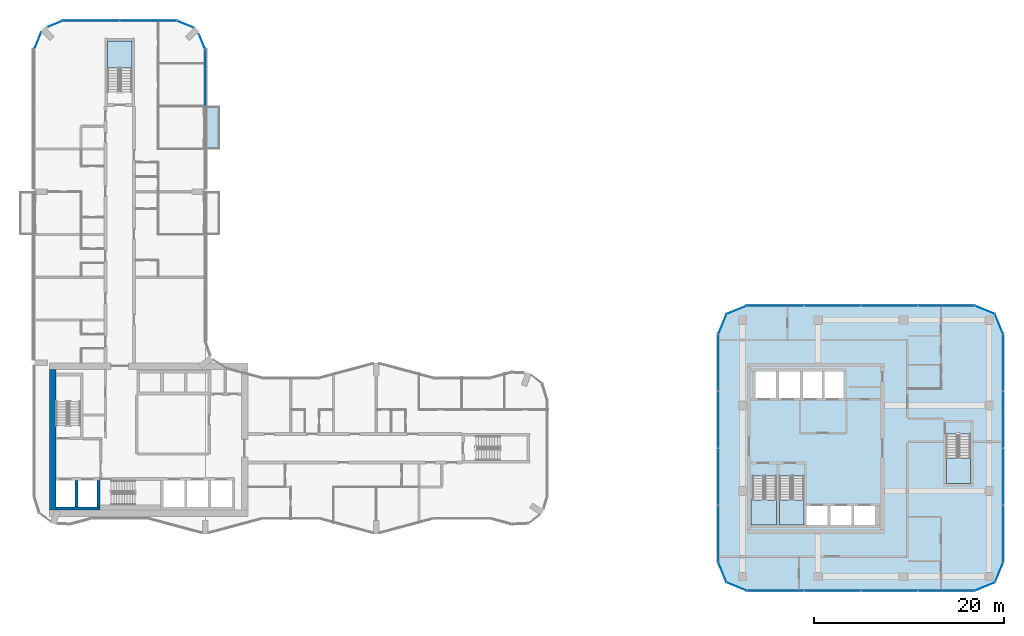
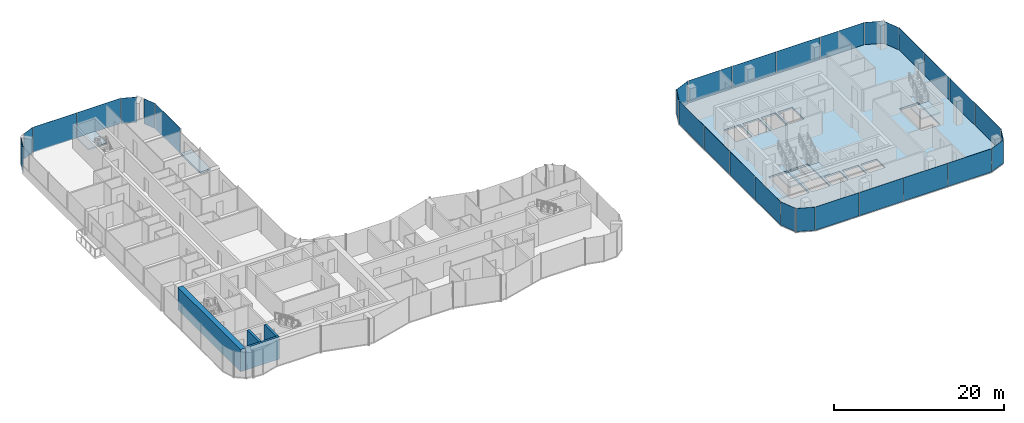
# One storey, part 12 of 22: 31 plates, 6 slabs, 4 walls, 22 elements without a shape of their own.
"""IFC4 building model written with IfcOpenShell, lengths in metres."""

from ifc_helpers import new_model, si_unit, direction, frame, frame_2d, origin, origin_2d, place, context, subcontext, project, spatial, polyline, rectangle, outline, extrude, material, layer, layer_set, type_object, element, aggregate, save


model = new_model("IFC4")

# Units and contexts
model_context = context("Model", 3, precision=1e-05, world=origin(), true_north=direction((0.0, 1.0)))
body_context = subcontext(model_context, "Body", "Model", "MODEL_VIEW")
ifc_project = project(units=[si_unit("LENGTHUNIT", "METRE"), si_unit("AREAUNIT", "SQUARE_METRE"), si_unit("VOLUMEUNIT", "CUBIC_METRE"), si_unit("PLANEANGLEUNIT", "RADIAN"), si_unit("MASSUNIT", "GRAM", prefix="KILO")], contexts=[model_context])

# Site, building, storey
site_placement = place(None, origin())
site = spatial("IfcSite", under=ifc_project, at=site_placement, CompositionType="ELEMENT")
building_placement = place(site_placement, origin())
building = spatial("IfcBuilding", under=site, at=building_placement, Name="Plateau Cross Towers", CompositionType="ELEMENT")
storey_placement = place(building_placement, frame((0.0, 0.0, 68.800048828125)))
storey = spatial("IfcBuildingStorey", under=building, at=storey_placement, Name="L17", CompositionType="ELEMENT", Elevation=68.800048828125)

# Slab
ifc_material_1 = material(Name="Concrete C40/50", Category="concrete")
ifc_layer_1 = layer(ifc_material_1, 0.25)
ifc_layer_set_1 = layer_set([ifc_layer_1], Name="Concrete C40/50")
slab_type_1 = type_object("IfcSlabType", Name="Balcony slab 250", PredefinedType="FLOOR", material=ifc_layer_set_1)
slab_1_placement = place(storey_placement, frame((0.0, 0.0, -0.25)))
element("IfcSlab", 1, at=slab_1_placement, inside=storey, type_object=slab_type_1, Name="Balcony slab A-BAL-L17-03", PredefinedType="FLOOR", context=body_context, shape_type="SweptSolid", body=[
    extrude(outline(polyline([(19.5, 40.5), (19.5, 45.0), (18.0, 45.0), (18.0, 40.5), (19.5, 40.5)])), origin(), (0.0, 0.0, 1.0), 0.25),
])

# Curtain wall, plates
ifc_material_2 = material(Name="Dark low-iron glass", Category="glass")
ifc_layer_2 = layer(ifc_material_2, 0.239990234375)
ifc_layer_set_2 = layer_set([ifc_layer_2], Name="Dark low-iron glass")
curtain_wall_type_1 = type_object("IfcCurtainWallType", Name="Curtain wall office unitised CW-F", PredefinedType="NOTDEFINED", material=ifc_layer_set_2)
curtain_wall_1_placement = place(storey_placement, origin())
curtain_wall_1 = element("IfcCurtainWall", 2, at=curtain_wall_1_placement, inside=storey, type_object=curtain_wall_type_1, Name="ENV/B/L17/B750_-60", PredefinedType="NOTDEFINED")
ifc_layer_3 = layer(ifc_material_2, 0.028076171875)
ifc_layer_set_3 = layer_set([ifc_layer_3], Name="Dark low-iron glass")
plate_type_1 = type_object("IfcPlateType", Name="Glass panel 28 office unitised", PredefinedType="CURTAIN_PANEL", material=ifc_layer_set_3)
plate_1_placement = place(storey_placement, frame((78.0, -6.0, -0.130126953125), z_axis=(0.0, 0.0, 1.0), x_axis=(1.0, 0.0, 0.0)))
plate_1 = element("IfcPlate", 3, at=plate_1_placement, type_object=plate_type_1, Name="CW-F panel 1", PredefinedType="CURTAIN_PANEL", context=body_context, shape_type="SweptSolid", body=[
    extrude(rectangle(XDim=5.93994140625, YDim=0.028076171875, at=origin_2d()), origin(), (0.0, 0.0, 1.0), 3.330078125),
])
plate_2_placement = place(storey_placement, frame((84.0, -6.0, -0.130126953125), z_axis=(0.0, 0.0, 1.0), x_axis=(1.0, 0.0, 0.0)))
plate_2 = element("IfcPlate", 4, at=plate_2_placement, type_object=plate_type_1, Name="CW-F panel 2", PredefinedType="CURTAIN_PANEL", context=body_context, shape_type="SweptSolid", body=[
    extrude(rectangle(XDim=5.93994140625, YDim=0.028076171875, at=origin_2d()), origin(), (0.0, 0.0, 1.0), 3.330078125),
])
plate_3_placement = place(storey_placement, frame((90.0, -6.0, -0.130126953125), z_axis=(0.0, 0.0, 1.0), x_axis=(1.0, 0.0, 0.0)))
plate_3 = element("IfcPlate", 5, at=plate_3_placement, type_object=plate_type_1, Name="CW-F panel 3", PredefinedType="CURTAIN_PANEL", context=body_context, shape_type="SweptSolid", body=[
    extrude(rectangle(XDim=5.93994140625, YDim=0.028076171875, at=origin_2d()), origin(), (0.0, 0.0, 1.0), 3.330078125),
])
plate_4_placement = place(storey_placement, frame((96.0, -6.0, -0.130126953125), z_axis=(0.0, 0.0, 1.0), x_axis=(1.0, 0.0, 0.0)))
plate_4 = element("IfcPlate", 6, at=plate_4_placement, type_object=plate_type_1, Name="CW-F panel 4", PredefinedType="CURTAIN_PANEL", context=body_context, shape_type="SweptSolid", body=[
    extrude(rectangle(XDim=5.93994140625, YDim=0.028076171875, at=origin_2d()), origin(), (0.0, 0.0, 1.0), 3.330078125),
])
aggregate(curtain_wall_1, [plate_1, plate_2, plate_3, plate_4])

# Curtain wall, plate
curtain_wall_2_placement = place(storey_placement, origin())
curtain_wall_2 = element("IfcCurtainWall", 7, at=curtain_wall_2_placement, inside=storey, type_object=curtain_wall_type_1, Name="ENV/B/L17/B990_-60", PredefinedType="NOTDEFINED")
plate_5_placement = place(storey_placement, frame((100.060546875, -5.560546875, -0.130126953125), z_axis=(0.0, 0.0, 1.0), x_axis=(0.923879457699, 0.382683612978, 0.0)))
plate_5 = element("IfcPlate", 8, at=plate_5_placement, type_object=plate_type_1, Name="CW-F panel 1", PredefinedType="CURTAIN_PANEL", context=body_context, shape_type="SweptSolid", body=[
    extrude(rectangle(XDim=2.236083984375, YDim=0.028076171875, at=origin_2d()), origin(), (0.0, 0.0, 1.0), 3.330078125),
])
aggregate(curtain_wall_2, [plate_5])

curtain_wall_3_placement = place(storey_placement, origin())
curtain_wall_3 = element("IfcCurtainWall", 9, at=curtain_wall_3_placement, inside=storey, type_object=curtain_wall_type_1, Name="ENV/B/L17/B1011_-51", PredefinedType="NOTDEFINED")
plate_6_placement = place(storey_placement, frame((101.560546875, -4.060546875, -0.130126953125), z_axis=(0.0, 0.0, 1.0), x_axis=(0.382683612978, 0.923879457699, 0.0)))
plate_6 = element("IfcPlate", 10, at=plate_6_placement, type_object=plate_type_1, Name="CW-F panel 1", PredefinedType="CURTAIN_PANEL", context=body_context, shape_type="SweptSolid", body=[
    extrude(rectangle(XDim=2.236083984375, YDim=0.028076171875, at=origin_2d()), origin(), (0.0, 0.0, 1.0), 3.330078125),
])
aggregate(curtain_wall_3, [plate_6])

# Curtain wall, plates
curtain_wall_4_placement = place(storey_placement, origin())
curtain_wall_4 = element("IfcCurtainWall", 11, at=curtain_wall_4_placement, inside=storey, type_object=curtain_wall_type_1, Name="ENV/B/L17/B1020_-30", PredefinedType="NOTDEFINED")
plate_7_placement = place(storey_placement, frame((102.0, 0.0, -0.130126953125), z_axis=(0.0, 0.0, 1.0), x_axis=(0.0, 1.0, 0.0)))
plate_7 = element("IfcPlate", 12, at=plate_7_placement, type_object=plate_type_1, Name="CW-F panel 1", PredefinedType="CURTAIN_PANEL", context=body_context, shape_type="SweptSolid", body=[
    extrude(rectangle(XDim=5.93994140625, YDim=0.028076171875, at=origin_2d()), origin(), (0.0, 0.0, 1.0), 3.330078125),
])
plate_8_placement = place(storey_placement, frame((102.0, 6.0, -0.130126953125), z_axis=(0.0, 0.0, 1.0), x_axis=(0.0, 1.0, 0.0)))
plate_8 = element("IfcPlate", 13, at=plate_8_placement, type_object=plate_type_1, Name="CW-F panel 2", PredefinedType="CURTAIN_PANEL", context=body_context, shape_type="SweptSolid", body=[
    extrude(rectangle(XDim=5.93994140625, YDim=0.028076171875, at=origin_2d()), origin(), (0.0, 0.0, 1.0), 3.330078125),
])
plate_9_placement = place(storey_placement, frame((102.0, 12.0, -0.130126953125), z_axis=(0.0, 0.0, 1.0), x_axis=(0.0, 1.0, 0.0)))
plate_9 = element("IfcPlate", 14, at=plate_9_placement, type_object=plate_type_1, Name="CW-F panel 3", PredefinedType="CURTAIN_PANEL", context=body_context, shape_type="SweptSolid", body=[
    extrude(rectangle(XDim=5.93994140625, YDim=0.028076171875, at=origin_2d()), origin(), (0.0, 0.0, 1.0), 3.330078125),
])
plate_10_placement = place(storey_placement, frame((102.0, 18.0, -0.130126953125), z_axis=(0.0, 0.0, 1.0), x_axis=(0.0, 1.0, 0.0)))
plate_10 = element("IfcPlate", 15, at=plate_10_placement, type_object=plate_type_1, Name="CW-F panel 4", PredefinedType="CURTAIN_PANEL", context=body_context, shape_type="SweptSolid", body=[
    extrude(rectangle(XDim=5.93994140625, YDim=0.028076171875, at=origin_2d()), origin(), (0.0, 0.0, 1.0), 3.330078125),
])
aggregate(curtain_wall_4, [plate_7, plate_8, plate_9, plate_10])

# Curtain wall, plate
curtain_wall_5_placement = place(storey_placement, origin())
curtain_wall_5 = element("IfcCurtainWall", 16, at=curtain_wall_5_placement, inside=storey, type_object=curtain_wall_type_1, Name="ENV/B/L17/B1020_210", PredefinedType="NOTDEFINED")
plate_11_placement = place(storey_placement, frame((101.560546875, 22.060546875, -0.130126953125), z_axis=(0.0, 0.0, 1.0), x_axis=(-0.382683612978, 0.923879457699, 0.0)))
plate_11 = element("IfcPlate", 17, at=plate_11_placement, type_object=plate_type_1, Name="CW-F panel 1", PredefinedType="CURTAIN_PANEL", context=body_context, shape_type="SweptSolid", body=[
    extrude(rectangle(XDim=2.236083984375, YDim=0.028076171875, at=origin_2d()), origin(), (0.0, 0.0, 1.0), 3.330078125),
])
aggregate(curtain_wall_5, [plate_11])

curtain_wall_6_placement = place(storey_placement, origin())
curtain_wall_6 = element("IfcCurtainWall", 18, at=curtain_wall_6_placement, inside=storey, type_object=curtain_wall_type_1, Name="ENV/B/L17/B1011_231", PredefinedType="NOTDEFINED")
plate_12_placement = place(storey_placement, frame((100.060546875, 23.560546875, -0.130126953125), z_axis=(0.0, 0.0, 1.0), x_axis=(-0.923879457699, 0.382683612978, 0.0)))
plate_12 = element("IfcPlate", 19, at=plate_12_placement, type_object=plate_type_1, Name="CW-F panel 1", PredefinedType="CURTAIN_PANEL", context=body_context, shape_type="SweptSolid", body=[
    extrude(rectangle(XDim=2.236083984375, YDim=0.028076171875, at=origin_2d()), origin(), (0.0, 0.0, 1.0), 3.330078125),
])
aggregate(curtain_wall_6, [plate_12])

# Curtain wall, plates
curtain_wall_7_placement = place(storey_placement, origin())
curtain_wall_7 = element("IfcCurtainWall", 20, at=curtain_wall_7_placement, inside=storey, type_object=curtain_wall_type_1, Name="ENV/B/L17/B990_240", PredefinedType="NOTDEFINED")
plate_13_placement = place(storey_placement, frame((96.0, 24.0, -0.130126953125), z_axis=(0.0, 0.0, 1.0), x_axis=(-1.0, 0.0, 0.0)))
plate_13 = element("IfcPlate", 21, at=plate_13_placement, type_object=plate_type_1, Name="CW-F panel 1", PredefinedType="CURTAIN_PANEL", context=body_context, shape_type="SweptSolid", body=[
    extrude(rectangle(XDim=5.93994140625, YDim=0.028076171875, at=origin_2d()), origin(), (0.0, 0.0, 1.0), 3.330078125),
])
plate_14_placement = place(storey_placement, frame((90.0, 24.0, -0.130126953125), z_axis=(0.0, 0.0, 1.0), x_axis=(-1.0, 0.0, 0.0)))
plate_14 = element("IfcPlate", 22, at=plate_14_placement, type_object=plate_type_1, Name="CW-F panel 2", PredefinedType="CURTAIN_PANEL", context=body_context, shape_type="SweptSolid", body=[
    extrude(rectangle(XDim=5.93994140625, YDim=0.028076171875, at=origin_2d()), origin(), (0.0, 0.0, 1.0), 3.330078125),
])
plate_15_placement = place(storey_placement, frame((84.0, 24.0, -0.130126953125), z_axis=(0.0, 0.0, 1.0), x_axis=(-1.0, 0.0, 0.0)))
plate_15 = element("IfcPlate", 23, at=plate_15_placement, type_object=plate_type_1, Name="CW-F panel 3", PredefinedType="CURTAIN_PANEL", context=body_context, shape_type="SweptSolid", body=[
    extrude(rectangle(XDim=5.93994140625, YDim=0.028076171875, at=origin_2d()), origin(), (0.0, 0.0, 1.0), 3.330078125),
])
plate_16_placement = place(storey_placement, frame((78.0, 24.0, -0.130126953125), z_axis=(0.0, 0.0, 1.0), x_axis=(-1.0, 0.0, 0.0)))
plate_16 = element("IfcPlate", 24, at=plate_16_placement, type_object=plate_type_1, Name="CW-F panel 4", PredefinedType="CURTAIN_PANEL", context=body_context, shape_type="SweptSolid", body=[
    extrude(rectangle(XDim=5.93994140625, YDim=0.028076171875, at=origin_2d()), origin(), (0.0, 0.0, 1.0), 3.330078125),
])
aggregate(curtain_wall_7, [plate_13, plate_14, plate_15, plate_16])

# Curtain wall, plate
curtain_wall_8_placement = place(storey_placement, origin())
curtain_wall_8 = element("IfcCurtainWall", 25, at=curtain_wall_8_placement, inside=storey, type_object=curtain_wall_type_1, Name="ENV/B/L17/B750_240", PredefinedType="NOTDEFINED")
plate_17_placement = place(storey_placement, frame((73.939453125, 23.560546875, -0.130126953125), z_axis=(0.0, 0.0, 1.0), x_axis=(-0.923879457699, -0.382683612978, 0.0)))
plate_17 = element("IfcPlate", 26, at=plate_17_placement, type_object=plate_type_1, Name="CW-F panel 1", PredefinedType="CURTAIN_PANEL", context=body_context, shape_type="SweptSolid", body=[
    extrude(rectangle(XDim=2.236083984375, YDim=0.028076171875, at=origin_2d()), origin(), (0.0, 0.0, 1.0), 3.330078125),
])
aggregate(curtain_wall_8, [plate_17])

curtain_wall_9_placement = place(storey_placement, origin())
curtain_wall_9 = element("IfcCurtainWall", 27, at=curtain_wall_9_placement, inside=storey, type_object=curtain_wall_type_1, Name="ENV/B/L17/B729_231", PredefinedType="NOTDEFINED")
plate_18_placement = place(storey_placement, frame((72.439453125, 22.060546875, -0.130126953125), z_axis=(0.0, 0.0, 1.0), x_axis=(-0.382683612978, -0.923879457699, 0.0)))
plate_18 = element("IfcPlate", 28, at=plate_18_placement, type_object=plate_type_1, Name="CW-F panel 1", PredefinedType="CURTAIN_PANEL", context=body_context, shape_type="SweptSolid", body=[
    extrude(rectangle(XDim=2.236083984375, YDim=0.028076171875, at=origin_2d()), origin(), (0.0, 0.0, 1.0), 3.330078125),
])
aggregate(curtain_wall_9, [plate_18])

# Curtain wall, plates
curtain_wall_10_placement = place(storey_placement, origin())
curtain_wall_10 = element("IfcCurtainWall", 29, at=curtain_wall_10_placement, inside=storey, type_object=curtain_wall_type_1, Name="ENV/B/L17/B720_210", PredefinedType="NOTDEFINED")
plate_19_placement = place(storey_placement, frame((72.0, 18.0, -0.130126953125), z_axis=(0.0, 0.0, 1.0), x_axis=(0.0, -1.0, 0.0)))
plate_19 = element("IfcPlate", 30, at=plate_19_placement, type_object=plate_type_1, Name="CW-F panel 1", PredefinedType="CURTAIN_PANEL", context=body_context, shape_type="SweptSolid", body=[
    extrude(rectangle(XDim=5.93994140625, YDim=0.028076171875, at=origin_2d()), origin(), (0.0, 0.0, 1.0), 3.330078125),
])
plate_20_placement = place(storey_placement, frame((72.0, 12.0, -0.130126953125), z_axis=(0.0, 0.0, 1.0), x_axis=(0.0, -1.0, 0.0)))
plate_20 = element("IfcPlate", 31, at=plate_20_placement, type_object=plate_type_1, Name="CW-F panel 2", PredefinedType="CURTAIN_PANEL", context=body_context, shape_type="SweptSolid", body=[
    extrude(rectangle(XDim=5.93994140625, YDim=0.028076171875, at=origin_2d()), origin(), (0.0, 0.0, 1.0), 3.330078125),
])
plate_21_placement = place(storey_placement, frame((72.0, 6.0, -0.130126953125), z_axis=(0.0, 0.0, 1.0), x_axis=(0.0, -1.0, 0.0)))
plate_21 = element("IfcPlate", 32, at=plate_21_placement, type_object=plate_type_1, Name="CW-F panel 3", PredefinedType="CURTAIN_PANEL", context=body_context, shape_type="SweptSolid", body=[
    extrude(rectangle(XDim=5.93994140625, YDim=0.028076171875, at=origin_2d()), origin(), (0.0, 0.0, 1.0), 3.330078125),
])
plate_22_placement = place(storey_placement, frame((72.0, 0.0, -0.130126953125), z_axis=(0.0, 0.0, 1.0), x_axis=(0.0, -1.0, 0.0)))
plate_22 = element("IfcPlate", 33, at=plate_22_placement, type_object=plate_type_1, Name="CW-F panel 4", PredefinedType="CURTAIN_PANEL", context=body_context, shape_type="SweptSolid", body=[
    extrude(rectangle(XDim=5.93994140625, YDim=0.028076171875, at=origin_2d()), origin(), (0.0, 0.0, 1.0), 3.330078125),
])
aggregate(curtain_wall_10, [plate_19, plate_20, plate_21, plate_22])

# Curtain wall, plate
curtain_wall_11_placement = place(storey_placement, origin())
curtain_wall_11 = element("IfcCurtainWall", 34, at=curtain_wall_11_placement, inside=storey, type_object=curtain_wall_type_1, Name="ENV/B/L17/B720_-30", PredefinedType="NOTDEFINED")
plate_23_placement = place(storey_placement, frame((72.439453125, -4.060546875, -0.130126953125), z_axis=(0.0, 0.0, 1.0), x_axis=(0.382683612978, -0.923879457699, 0.0)))
plate_23 = element("IfcPlate", 35, at=plate_23_placement, type_object=plate_type_1, Name="CW-F panel 1", PredefinedType="CURTAIN_PANEL", context=body_context, shape_type="SweptSolid", body=[
    extrude(rectangle(XDim=2.236083984375, YDim=0.028076171875, at=origin_2d()), origin(), (0.0, 0.0, 1.0), 3.330078125),
])
aggregate(curtain_wall_11, [plate_23])

curtain_wall_12_placement = place(storey_placement, origin())
curtain_wall_12 = element("IfcCurtainWall", 36, at=curtain_wall_12_placement, inside=storey, type_object=curtain_wall_type_1, Name="ENV/B/L17/B729_-51", PredefinedType="NOTDEFINED")
plate_24_placement = place(storey_placement, frame((73.939453125, -5.560546875, -0.130126953125), z_axis=(0.0, 0.0, 1.0), x_axis=(0.923879457699, -0.382683612978, 0.0)))
plate_24 = element("IfcPlate", 37, at=plate_24_placement, type_object=plate_type_1, Name="CW-F panel 1", PredefinedType="CURTAIN_PANEL", context=body_context, shape_type="SweptSolid", body=[
    extrude(rectangle(XDim=2.236083984375, YDim=0.028076171875, at=origin_2d()), origin(), (0.0, 0.0, 1.0), 3.330078125),
])
aggregate(curtain_wall_12, [plate_24])

ifc_layer_4 = layer(ifc_material_2, 0.239990234375)
ifc_layer_set_4 = layer_set([ifc_layer_4], Name="Dark low-iron glass")
curtain_wall_type_2 = type_object("IfcCurtainWallType", Name="Curtain wall flush unitised CW-B", PredefinedType="NOTDEFINED", material=ifc_layer_set_4)
curtain_wall_13_placement = place(storey_placement, origin())
curtain_wall_13 = element("IfcCurtainWall", 38, at=curtain_wall_13_placement, inside=storey, type_object=curtain_wall_type_2, Name="ENV/A/L17/A180_450", PredefinedType="NOTDEFINED")
ifc_layer_5 = layer(ifc_material_2, 0.031982421875)
ifc_layer_set_5 = layer_set([ifc_layer_5], Name="Dark low-iron glass")
plate_type_2 = type_object("IfcPlateType", Name="Glass panel 32 flush unitised", PredefinedType="CURTAIN_PANEL", material=ifc_layer_set_5)
plate_25_placement = place(storey_placement, frame((18.0, 48.0048828125, -0.1298828125), z_axis=(0.0, 0.0, 1.0), x_axis=(0.0, 1.0, 0.0)))
plate_25 = element("IfcPlate", 39, at=plate_25_placement, type_object=plate_type_2, Name="CW-B panel 1", PredefinedType="CURTAIN_PANEL", context=body_context, shape_type="SweptSolid", body=[
    extrude(rectangle(XDim=5.929931640625, YDim=0.031982421875, at=origin_2d()), origin(), (0.0, 0.0, 1.0), 3.6298828125),
])
aggregate(curtain_wall_13, [plate_25])

curtain_wall_14_placement = place(storey_placement, origin())
curtain_wall_14 = element("IfcCurtainWall", 40, at=curtain_wall_14_placement, inside=storey, type_object=curtain_wall_type_2, Name="ENV/A/L17/A180_510", PredefinedType="NOTDEFINED")
plate_26_placement = place(storey_placement, frame((17.66943359375, 51.79833984375, -0.1298828125), z_axis=(0.0, 0.0, 1.0), x_axis=(-0.382683612978, 0.923879457699, 0.0)))
plate_26 = element("IfcPlate", 41, at=plate_26_placement, type_object=plate_type_2, Name="CW-B panel 1", PredefinedType="CURTAIN_PANEL", context=body_context, shape_type="SweptSolid", body=[
    extrude(rectangle(XDim=1.668212890625, YDim=0.031982421875, at=origin_2d()), origin(), (0.0, 0.0, 1.0), 3.6298828125),
])
aggregate(curtain_wall_14, [plate_26])

curtain_wall_15_placement = place(storey_placement, origin())
curtain_wall_15 = element("IfcCurtainWall", 42, at=curtain_wall_15_placement, inside=storey, type_object=curtain_wall_type_2, Name="ENV/A/L17/A168_533", PredefinedType="NOTDEFINED")
plate_27_placement = place(storey_placement, frame((15.90283203125, 53.6259765625, -0.1298828125), z_axis=(0.0, 0.0, 1.0), x_axis=(-0.923879457699, 0.382683612978, 0.0)))
plate_27 = element("IfcPlate", 43, at=plate_27_placement, type_object=plate_type_2, Name="CW-B panel 1", PredefinedType="CURTAIN_PANEL", context=body_context, shape_type="SweptSolid", body=[
    extrude(rectangle(XDim=1.894775390625, YDim=0.031982421875, at=origin_2d()), origin(), (0.0, 0.0, 1.0), 3.6298828125),
])
aggregate(curtain_wall_15, [plate_27])

# Curtain wall, plates
curtain_wall_16_placement = place(storey_placement, origin())
curtain_wall_16 = element("IfcCurtainWall", 44, at=curtain_wall_16_placement, inside=storey, type_object=curtain_wall_type_2, Name="ENV/A/L17/A150_540", PredefinedType="NOTDEFINED")
plate_28_placement = place(storey_placement, frame((12.0, 54.0, -0.1298828125), z_axis=(0.0, 0.0, 1.0), x_axis=(-1.0, 0.0, 0.0)))
plate_28 = element("IfcPlate", 45, at=plate_28_placement, type_object=plate_type_2, Name="CW-B panel 1", PredefinedType="CURTAIN_PANEL", context=body_context, shape_type="SweptSolid", body=[
    extrude(rectangle(XDim=5.93994140625, YDim=0.031982421875, at=origin_2d()), origin(), (0.0, 0.0, 1.0), 3.6298828125),
])
plate_29_placement = place(storey_placement, frame((6.0, 54.0, -0.1298828125), z_axis=(0.0, 0.0, 1.0), x_axis=(-1.0, 0.0, 0.0)))
plate_29 = element("IfcPlate", 46, at=plate_29_placement, type_object=plate_type_2, Name="CW-B panel 2", PredefinedType="CURTAIN_PANEL", context=body_context, shape_type="SweptSolid", body=[
    extrude(rectangle(XDim=5.93994140625, YDim=0.031982421875, at=origin_2d()), origin(), (0.0, 0.0, 1.0), 3.6298828125),
])
aggregate(curtain_wall_16, [plate_28, plate_29])

# Curtain wall, plate
curtain_wall_17_placement = place(storey_placement, origin())
curtain_wall_17 = element("IfcCurtainWall", 47, at=curtain_wall_17_placement, inside=storey, type_object=curtain_wall_type_2, Name="ENV/A/L17/A30_540", PredefinedType="NOTDEFINED")
plate_30_placement = place(storey_placement, frame((2.20166015625, 53.66943359375, -0.1298828125), z_axis=(0.0, 0.0, 1.0), x_axis=(-0.923879457699, -0.382683612978, 0.0)))
plate_30 = element("IfcPlate", 48, at=plate_30_placement, type_object=plate_type_2, Name="CW-B panel 1", PredefinedType="CURTAIN_PANEL", context=body_context, shape_type="SweptSolid", body=[
    extrude(rectangle(XDim=1.668212890625, YDim=0.031982421875, at=origin_2d()), origin(), (0.0, 0.0, 1.0), 3.6298828125),
])
aggregate(curtain_wall_17, [plate_30])

curtain_wall_18_placement = place(storey_placement, origin())
curtain_wall_18 = element("IfcCurtainWall", 49, at=curtain_wall_18_placement, inside=storey, type_object=curtain_wall_type_2, Name="ENV/A/L17/A7_528", PredefinedType="NOTDEFINED")
plate_31_placement = place(storey_placement, frame((0.3740234375, 51.90283203125, -0.1298828125), z_axis=(0.0, 0.0, 1.0), x_axis=(-0.382683612978, -0.923879457699, 0.0)))
plate_31 = element("IfcPlate", 50, at=plate_31_placement, type_object=plate_type_2, Name="CW-B panel 1", PredefinedType="CURTAIN_PANEL", context=body_context, shape_type="SweptSolid", body=[
    extrude(rectangle(XDim=1.894775390625, YDim=0.031982421875, at=origin_2d()), origin(), (0.0, 0.0, 1.0), 3.6298828125),
])
aggregate(curtain_wall_18, [plate_31])

# Slab
ifc_layer_6 = layer(ifc_material_1, 0.25)
ifc_layer_set_6 = layer_set([ifc_layer_6], Name="Concrete C40/50")
slab_type_2 = type_object("IfcSlabType", Name="Post-tensioned flat plate slab 250", PredefinedType="FLOOR", material=ifc_layer_set_6)
slab_2_placement = place(storey_placement, frame((0.0, 0.0, -0.25)))
element("IfcSlab", 51, at=slab_2_placement, inside=storey, type_object=slab_type_2, Name="SL-B-L17", PredefinedType="FLOOR", context=body_context, shape_type="SweptSolid", body=[
    extrude(outline(polyline([(72.878662109375, -5.121337890625), (72.0, -3.0), (72.0, 21.0), (72.878662109375, 23.121337890625), (75.0, 24.0), (99.0, 24.0), (101.121337890625, 23.121337890625), (102.0, 21.0), (102.0, -3.0), (101.121337890625, -5.121337890625), (99.0, -6.0), (75.0, -6.0), (72.878662109375, -5.121337890625)]), holes=[polyline([(75.60009765625, 0.89990234375), (78.14990234375, 0.89990234375), (78.14990234375, 6.10009765625), (75.60009765625, 6.10009765625), (75.60009765625, 0.89990234375)]), polyline([(78.10009765625, 14.300048828125), (78.10009765625, 17.10009765625), (75.89990234375, 17.10009765625), (75.89990234375, 14.300048828125), (78.10009765625, 14.300048828125)]), polyline([(83.5, 0.89990234375), (83.5, 2.89990234375), (81.300048828125, 2.89990234375), (81.300048828125, 0.89990234375), (83.5, 0.89990234375)]), polyline([(86.0, 0.89990234375), (86.0, 2.89990234375), (83.800048828125, 2.89990234375), (83.800048828125, 0.89990234375), (86.0, 0.89990234375)]), polyline([(88.5, 0.89990234375), (88.5, 2.89990234375), (86.300048828125, 2.89990234375), (86.300048828125, 0.89990234375), (88.5, 0.89990234375)]), polyline([(78.449951171875, 0.89990234375), (81.0, 0.89990234375), (81.0, 6.10009765625), (78.449951171875, 6.10009765625), (78.449951171875, 0.89990234375)]), polyline([(96.0, 5.300048828125), (98.550048828125, 5.300048828125), (98.550048828125, 10.5), (96.0, 10.5), (96.0, 5.300048828125)]), polyline([(80.60009765625, 14.300048828125), (80.60009765625, 17.10009765625), (78.39990234375, 17.10009765625), (78.39990234375, 14.300048828125), (80.60009765625, 14.300048828125)]), polyline([(80.89990234375, 14.300048828125), (82.89990234375, 14.300048828125), (82.89990234375, 17.10009765625), (80.89990234375, 17.10009765625), (80.89990234375, 14.300048828125)]), polyline([(83.199951171875, 14.300048828125), (85.199951171875, 14.300048828125), (85.199951171875, 17.10009765625), (83.199951171875, 17.10009765625), (83.199951171875, 14.300048828125)])]), origin(), (0.0, 0.0, 1.0), 0.25),
])

# Stair, slab
stair_type = type_object("IfcStairType", Name="ST-TWR", PredefinedType="HALF_TURN_STAIR", material=ifc_material_1)
stair_1_placement = place(storey_placement, origin())
stair_1 = element("IfcStair", 52, at=stair_1_placement, inside=storey, type_object=stair_type, Name="L17 Protected Exit Stair SB-1", PredefinedType="HALF_TURN_STAIR")
ifc_layer_7 = layer(ifc_material_1, 0.199951171875)
ifc_layer_set_7 = layer_set([ifc_layer_7], Name="Concrete C40/50")
slab_type_3 = type_object("IfcSlabType", Name="SL-LANDING", PredefinedType="LANDING", material=ifc_layer_set_7)
slab_3_placement = place(storey_placement, frame((0.0, 0.0, 1.550048828125)))
slab_3 = element("IfcSlab", 53, at=slab_3_placement, type_object=slab_type_3, Name="SB-1 landing 1", PredefinedType="LANDING", context=body_context, shape_type="SweptSolid", body=[
    extrude(outline(polyline([(75.449951171875, 3.580078125), (75.449951171875, 0.89990234375), (78.14990234375, 0.89990234375), (78.14990234375, 3.580078125), (75.449951171875, 3.580078125)])), origin(), (0.0, 0.0, 1.0), 0.199951171875),
])
aggregate(stair_1, [slab_3])

stair_2_placement = place(storey_placement, origin())
stair_2 = element("IfcStair", 54, at=stair_2_placement, inside=storey, type_object=stair_type, Name="L17 Protected Exit Stair SB-2", PredefinedType="HALF_TURN_STAIR")
slab_4_placement = place(storey_placement, frame((0.0, 0.0, 1.550048828125)))
slab_4 = element("IfcSlab", 55, at=slab_4_placement, type_object=slab_type_3, Name="SB-2 landing 1", PredefinedType="LANDING", context=body_context, shape_type="SweptSolid", body=[
    extrude(outline(polyline([(78.449951171875, 3.580078125), (78.449951171875, 0.89990234375), (81.0, 0.89990234375), (81.0, 3.580078125), (78.449951171875, 3.580078125)])), origin(), (0.0, 0.0, 1.0), 0.199951171875),
])
aggregate(stair_2, [slab_4])

stair_3_placement = place(storey_placement, origin())
stair_3 = element("IfcStair", 56, at=stair_3_placement, inside=storey, type_object=stair_type, Name="L17 Protected Exit Stair SB-3", PredefinedType="HALF_TURN_STAIR")
slab_5_placement = place(storey_placement, frame((0.0, 0.0, 1.550048828125)))
slab_5 = element("IfcSlab", 57, at=slab_5_placement, type_object=slab_type_3, Name="SB-3 landing 1", PredefinedType="LANDING", context=body_context, shape_type="SweptSolid", body=[
    extrude(outline(polyline([(96.0, 7.97998046875), (96.0, 5.300048828125), (98.550048828125, 5.300048828125), (98.550048828125, 7.97998046875), (96.0, 7.97998046875)])), origin(), (0.0, 0.0, 1.0), 0.199951171875),
])
aggregate(stair_3, [slab_5])

stair_4_placement = place(storey_placement, origin())
stair_4 = element("IfcStair", 58, at=stair_4_placement, inside=storey, type_object=stair_type, Name="L17 Protected Exit Stair N", PredefinedType="HALF_TURN_STAIR")
slab_6_placement = place(storey_placement, frame((0.0, 0.0, 1.550048828125)))
slab_6 = element("IfcSlab", 59, at=slab_6_placement, type_object=slab_type_3, Name="ES-N landing 1", PredefinedType="LANDING", context=body_context, shape_type="SweptSolid", body=[
    extrude(outline(polyline([(10.27490234375, 49.02001953125), (10.27490234375, 51.85009765625), (7.72509765625, 51.85009765625), (7.72509765625, 49.02001953125), (10.27490234375, 49.02001953125)])), origin(), (0.0, 0.0, 1.0), 0.199951171875),
])
aggregate(stair_4, [slab_6])

# Walls
ifc_material_3 = material(Name="Concrete C60/75", Category="concrete")
ifc_layer_8 = layer(ifc_material_3, 0.300048828125)
ifc_layer_set_8 = layer_set([ifc_layer_8], Name="Concrete C60/75")
wall_type_1 = type_object("IfcWallType", Name="Core shaft wall 300", PredefinedType="SHEAR", material=ifc_layer_set_8)
wall_1_placement = place(storey_placement, frame((2.300048828125, 2.64990234375, 0.0), z_axis=(0.0, 0.0, 1.0), x_axis=(1.0, 0.0, 0.0)))
element("IfcWall", 60, at=wall_1_placement, inside=storey, type_object=wall_type_1, Name="A-sb-back1@L17", PredefinedType="SHEAR", context=body_context, shape_type="SweptSolid", body=[
    extrude(rectangle(XDim=4.599853515625, YDim=0.300048828125, at=frame_2d((2.2998046875, 0.0))), origin(), (0.0, 0.0, 1.0), 3.199951171875),
])
for number, where, z_axis, x_axis, name in (
    (61, (4.449951171875, 2.800048828125, 0.0), (0.0, 0.0, 1.0), (0.0, 1.0, 0.0), "A-sb-v1@L17"),
    (62, (6.75, 2.800048828125, 0.0), (0.0, 0.0, 1.0), (0.0, 1.0, 0.0), "A-sb-v2@L17"),
):
    element("IfcWall", number, at=place(storey_placement, frame(where, z_axis=z_axis, x_axis=x_axis)), inside=storey, type_object=wall_type_1, Name=name, PredefinedType="SHEAR", context=body_context, shape_type="SweptSolid", body=[
        extrude(rectangle(XDim=2.800048828125, YDim=0.300048828125, at=frame_2d((1.39990234375, 0.0))), origin(), (0.0, 0.0, 1.0), 3.199951171875),
    ])
ifc_layer_9 = layer(ifc_material_3, 0.699951171875)
ifc_layer_set_9 = layer_set([ifc_layer_9], Name="Concrete C60/75")
wall_type_2 = type_object("IfcWallType", Name="Core shell wall 700", PredefinedType="SHEAR", material=ifc_layer_set_9)
wall_2_placement = place(storey_placement, frame((1.949951171875, 2.5, 0.0), z_axis=(0.0, 0.0, 1.0), x_axis=(0.0, 1.0, 0.0)))
element("IfcWall", 63, at=wall_2_placement, inside=storey, type_object=wall_type_2, Name="A-core-W@L17", PredefinedType="SHEAR", context=body_context, shape_type="SweptSolid", body=[
    extrude(rectangle(XDim=14.800048828125, YDim=0.699951171875, at=frame_2d((7.39990234375, 0.0))), origin(), (0.0, 0.0, 1.0), 3.199951171875),
])

save(model, "model.ifc")
